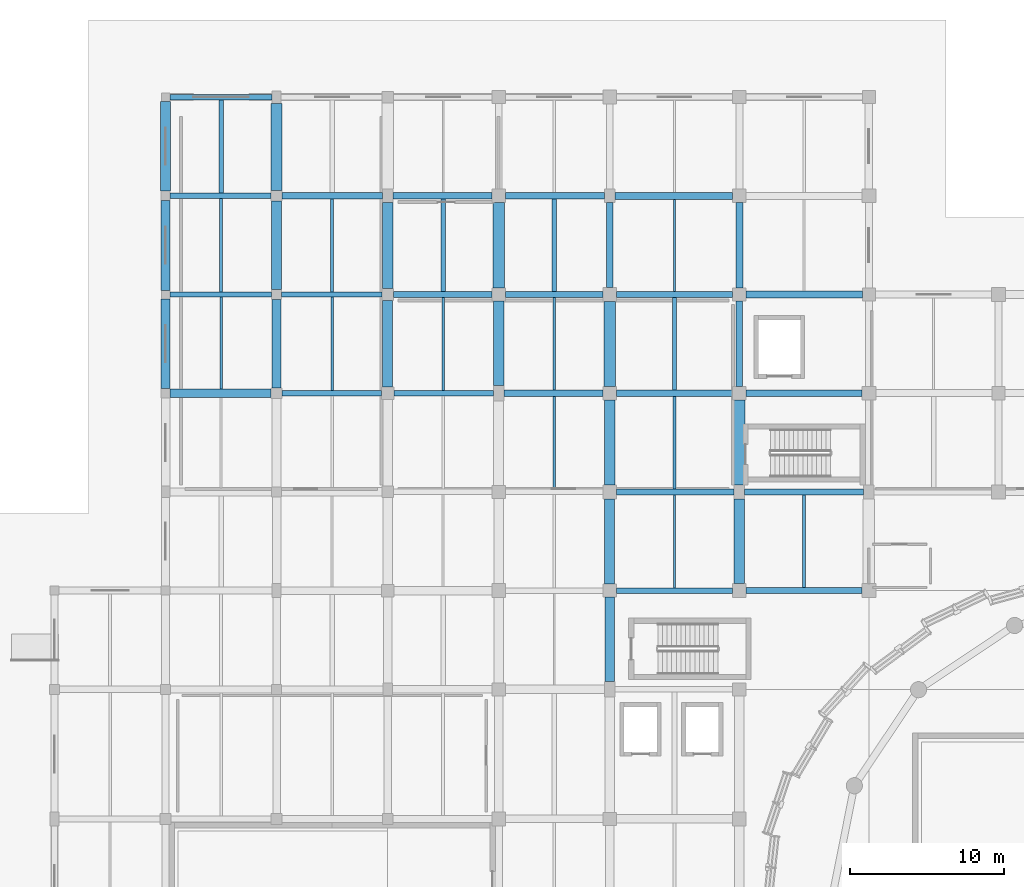
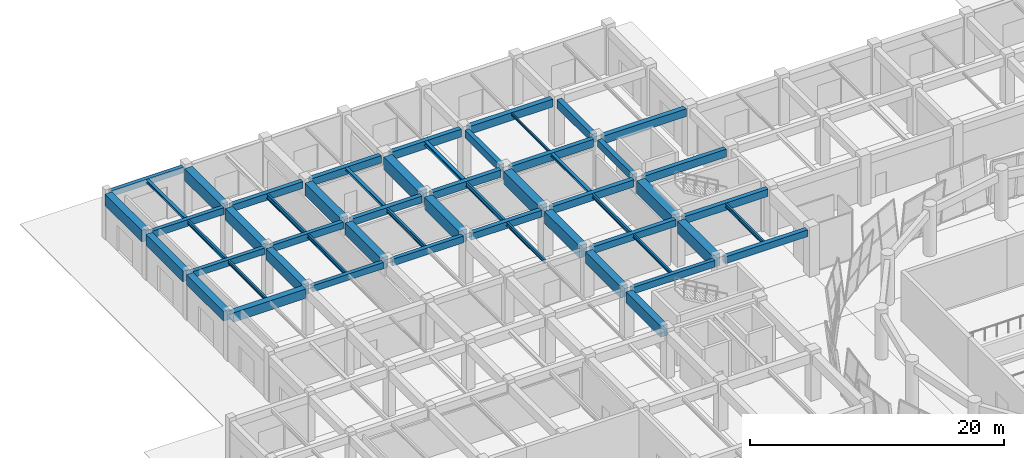
# One storey, part 30 of 72: 56 beams.
"""IFC4 building model written with IfcOpenShell, lengths in metres."""

from ifc_helpers import new_model, si_unit, direction, frame, origin, origin_2d, place, context, subcontext, project, spatial, rectangle, i_section, extrude, material, material_profile, profile_set, type_object, element, save


model = new_model("IFC4")

# Units and contexts
model_context = context("Model", 3, precision=1e-05, world=origin(), true_north=direction((0.0, 1.0)))
body_context = subcontext(model_context, "Body", "Model", "MODEL_VIEW")
ifc_project = project(units=[si_unit("LENGTHUNIT", "METRE"), si_unit("AREAUNIT", "SQUARE_METRE"), si_unit("VOLUMEUNIT", "CUBIC_METRE"), si_unit("PLANEANGLEUNIT", "RADIAN"), si_unit("MASSUNIT", "GRAM", prefix="KILO")], contexts=[model_context])

# Site, building, storey
site_placement = place(None, origin())
site = spatial("IfcSite", under=ifc_project, at=site_placement, CompositionType="ELEMENT")
building_placement = place(site_placement, origin())
building = spatial("IfcBuilding", under=site, at=building_placement, Name="Korsvaeld Concert Hall", CompositionType="ELEMENT")
storey_placement = place(building_placement, origin())
storey = spatial("IfcBuildingStorey", under=building, at=storey_placement, Name="L00", CompositionType="ELEMENT", Elevation=0.0)

# Beams
ifc_material_1 = material(Name="Concrete C35/45", Category="concrete")
ifc_material_profile_1 = material_profile(ifc_material_1, rectangle(XDim=0.35009765625, YDim=0.60009765625, at=origin_2d()), Name="RC 350x600")
ifc_profile_set_1 = profile_set([ifc_material_profile_1], Name="Concrete C35/45")
beam_type_1 = type_object("IfcBeamType", Name="BM-RC-350x600", PredefinedType="T_BEAM", material=ifc_profile_set_1)
beam_1_placement = place(storey_placement, frame((29.14990234375, 96.0, 4.139892578125), z_axis=(1.0, 0.0, 0.0), x_axis=(0.0, 1.0, 0.0)))
element("IfcBeam", 1, at=beam_1_placement, inside=storey, type_object=beam_type_1, Name="Primary girder 5-6/P L00", PredefinedType="T_BEAM", context=body_context, shape_type="SweptSolid", body=[
    extrude(rectangle(XDim=0.35009765625, YDim=0.60009765625, at=origin_2d()), origin(), (0.0, 0.0, 1.0), 6.4501953125),
])
beam_2_placement = place(storey_placement, frame((21.875, 102.39990234375, 4.139892578125), z_axis=(1.0, 0.0, 0.0), x_axis=(0.0, 1.0, 0.0)))
element("IfcBeam", 2, at=beam_2_placement, inside=storey, type_object=beam_type_1, Name="Primary girder 4-5/Q L00", PredefinedType="T_BEAM", context=body_context, shape_type="SweptSolid", body=[
    extrude(rectangle(XDim=0.35009765625, YDim=0.60009765625, at=origin_2d()), origin(), (0.0, 0.0, 1.0), 6.60009765625),
])
ifc_material_profile_2 = material_profile(ifc_material_1, rectangle(XDim=0.35009765625, YDim=0.64990234375, at=origin_2d()), Name="RC 350x650")
ifc_profile_set_2 = profile_set([ifc_material_profile_2], Name="Concrete C35/45")
beam_type_2 = type_object("IfcBeamType", Name="BM-RC-350x650", PredefinedType="T_BEAM", material=ifc_profile_set_2)
beam_3_placement = place(storey_placement, frame((50.824951171875, 83.199951171875, 4.114990234375), z_axis=(1.0, 0.0, 0.0), x_axis=(0.0, 1.0, 0.0)))
element("IfcBeam", 3, at=beam_3_placement, inside=storey, type_object=beam_type_2, Name="Primary girder 8-9/M L00", PredefinedType="T_BEAM", context=body_context, shape_type="SweptSolid", body=[
    extrude(rectangle(XDim=0.35009765625, YDim=0.64990234375, at=origin_2d()), origin(), (0.0, 0.0, 1.0), 7.525146484375),
])
beam_4_placement = place(storey_placement, frame((36.39990234375, 96.0, 4.114990234375), z_axis=(1.0, 0.0, 0.0), x_axis=(0.0, 1.0, 0.0)))
element("IfcBeam", 4, at=beam_4_placement, inside=storey, type_object=beam_type_2, Name="Primary girder 6-7/P L00", PredefinedType="T_BEAM", context=body_context, shape_type="SweptSolid", body=[
    extrude(rectangle(XDim=0.35009765625, YDim=0.64990234375, at=origin_2d()), origin(), (0.0, 0.0, 1.0), 6.4501953125),
])
beam_5_placement = place(storey_placement, frame((29.125, 102.39990234375, 4.114990234375), z_axis=(1.0, 0.0, 0.0), x_axis=(0.0, 1.0, 0.0)))
element("IfcBeam", 5, at=beam_5_placement, inside=storey, type_object=beam_type_2, Name="Primary girder 5-6/Q L00", PredefinedType="T_BEAM", context=body_context, shape_type="SweptSolid", body=[
    extrude(rectangle(XDim=0.35009765625, YDim=0.64990234375, at=origin_2d()), origin(), (0.0, 0.0, 1.0), 6.5),
])
beam_6_placement = place(storey_placement, frame((21.89990234375, 108.800048828125, 4.114990234375), z_axis=(1.0, 0.0, 0.0), x_axis=(0.0, 1.0, 0.0)))
element("IfcBeam", 6, at=beam_6_placement, inside=storey, type_object=beam_type_2, Name="Primary girder 4-5/R L00", PredefinedType="T_BEAM", context=body_context, shape_type="SweptSolid", body=[
    extrude(rectangle(XDim=0.35009765625, YDim=0.64990234375, at=origin_2d()), origin(), (0.0, 0.0, 1.0), 6.550048828125),
])
ifc_material_profile_3 = material_profile(ifc_material_1, rectangle(XDim=0.39990234375, YDim=0.64990234375, at=origin_2d()), Name="RC 400x650")
ifc_profile_set_3 = profile_set([ifc_material_profile_3], Name="Concrete C35/45")
beam_type_3 = type_object("IfcBeamType", Name="BM-RC-400x650", PredefinedType="T_BEAM", material=ifc_profile_set_3)
beam_7_placement = place(storey_placement, frame((59.25, 83.199951171875, 4.114990234375), z_axis=(1.0, 0.0, 0.0), x_axis=(0.0, 1.0, 0.0)))
element("IfcBeam", 7, at=beam_7_placement, inside=storey, type_object=beam_type_3, Name="Primary girder 9-10/M L00", PredefinedType="T_BEAM", context=body_context, shape_type="SweptSolid", body=[
    extrude(rectangle(XDim=0.39990234375, YDim=0.64990234375, at=origin_2d()), origin(), (0.0, 0.0, 1.0), 7.5),
])
beam_8_placement = place(storey_placement, frame((50.85009765625, 89.60009765625, 4.114990234375), z_axis=(1.0, 0.0, 0.0), x_axis=(0.0, 1.0, 0.0)))
element("IfcBeam", 8, at=beam_8_placement, inside=storey, type_object=beam_type_3, Name="Primary girder 8-9/N L00", PredefinedType="T_BEAM", context=body_context, shape_type="SweptSolid", body=[
    extrude(rectangle(XDim=0.39990234375, YDim=0.64990234375, at=origin_2d()), origin(), (0.0, 0.0, 1.0), 7.599853515625),
])
beam_9_placement = place(storey_placement, frame((43.550048828125, 96.0, 4.114990234375), z_axis=(1.0, 0.0, 0.0), x_axis=(0.0, 1.0, 0.0)))
element("IfcBeam", 9, at=beam_9_placement, inside=storey, type_object=beam_type_3, Name="Primary girder 7-8/P L00", PredefinedType="T_BEAM", context=body_context, shape_type="SweptSolid", body=[
    extrude(rectangle(XDim=0.39990234375, YDim=0.64990234375, at=origin_2d()), origin(), (0.0, 0.0, 1.0), 6.425048828125),
])
beam_10_placement = place(storey_placement, frame((36.375, 102.39990234375, 4.114990234375), z_axis=(1.0, 0.0, 0.0), x_axis=(0.0, 1.0, 0.0)))
element("IfcBeam", 10, at=beam_10_placement, inside=storey, type_object=beam_type_3, Name="Primary girder 6-7/Q L00", PredefinedType="T_BEAM", context=body_context, shape_type="SweptSolid", body=[
    extrude(rectangle(XDim=0.39990234375, YDim=0.64990234375, at=origin_2d()), origin(), (0.0, 0.0, 1.0), 6.39990234375),
])
beam_11_placement = place(storey_placement, frame((29.14990234375, 108.800048828125, 4.114990234375), z_axis=(1.0, 0.0, 0.0), x_axis=(0.0, 1.0, 0.0)))
element("IfcBeam", 11, at=beam_11_placement, inside=storey, type_object=beam_type_3, Name="Primary girder 5-6/R L00", PredefinedType="T_BEAM", context=body_context, shape_type="SweptSolid", body=[
    extrude(rectangle(XDim=0.39990234375, YDim=0.64990234375, at=origin_2d()), origin(), (0.0, 0.0, 1.0), 6.5),
])
ifc_material_profile_4 = material_profile(ifc_material_1, rectangle(XDim=0.39990234375, YDim=0.699951171875, at=origin_2d()), Name="RC 400x700")
ifc_profile_set_4 = profile_set([ifc_material_profile_4], Name="Concrete C35/45")
beam_type_4 = type_object("IfcBeamType", Name="BM-RC-400x700", PredefinedType="T_BEAM", material=ifc_profile_set_4)
beam_12_placement = place(storey_placement, frame((59.14990234375, 89.60009765625, 4.090087890625), z_axis=(1.0, 0.0, 0.0), x_axis=(0.0, 1.0, 0.0)))
element("IfcBeam", 12, at=beam_12_placement, inside=storey, type_object=beam_type_4, Name="Primary girder 9-10/N L00", PredefinedType="T_BEAM", context=body_context, shape_type="SweptSolid", body=[
    extrude(rectangle(XDim=0.39990234375, YDim=0.699951171875, at=origin_2d()), origin(), (0.0, 0.0, 1.0), 7.7001953125),
])
beam_13_placement = place(storey_placement, frame((50.824951171875, 96.0, 4.090087890625), z_axis=(1.0, 0.0, 0.0), x_axis=(0.0, 1.0, 0.0)))
element("IfcBeam", 13, at=beam_13_placement, inside=storey, type_object=beam_type_4, Name="Primary girder 8-9/P L00", PredefinedType="T_BEAM", context=body_context, shape_type="SweptSolid", body=[
    extrude(rectangle(XDim=0.39990234375, YDim=0.699951171875, at=origin_2d()), origin(), (0.0, 0.0, 1.0), 7.525146484375),
])
beam_14_placement = place(storey_placement, frame((43.625, 102.39990234375, 4.090087890625), z_axis=(1.0, 0.0, 0.0), x_axis=(0.0, 1.0, 0.0)))
element("IfcBeam", 14, at=beam_14_placement, inside=storey, type_object=beam_type_4, Name="Primary girder 7-8/Q L00", PredefinedType="T_BEAM", context=body_context, shape_type="SweptSolid", body=[
    extrude(rectangle(XDim=0.39990234375, YDim=0.699951171875, at=origin_2d()), origin(), (0.0, 0.0, 1.0), 6.324951171875),
])
beam_15_placement = place(storey_placement, frame((36.35009765625, 108.800048828125, 4.090087890625), z_axis=(1.0, 0.0, 0.0), x_axis=(0.0, 1.0, 0.0)))
element("IfcBeam", 15, at=beam_15_placement, inside=storey, type_object=beam_type_4, Name="Primary girder 6-7/R L00", PredefinedType="T_BEAM", context=body_context, shape_type="SweptSolid", body=[
    extrude(rectangle(XDim=0.39990234375, YDim=0.699951171875, at=origin_2d()), origin(), (0.0, 0.0, 1.0), 6.39990234375),
])
beam_16_placement = place(storey_placement, frame((50.39990234375, 102.85009765625, 4.090087890625), z_axis=(0.0, 1.0, 0.0), x_axis=(-1.0, 0.0, 0.0)))
element("IfcBeam", 16, at=beam_16_placement, inside=storey, type_object=beam_type_4, Name="Primary girder 8/Q-R L00", PredefinedType="T_BEAM", context=body_context, shape_type="SweptSolid", body=[
    extrude(rectangle(XDim=0.39990234375, YDim=0.699951171875, at=origin_2d()), origin(), (0.0, 0.0, 1.0), 5.5),
])
beam_17_placement = place(storey_placement, frame((58.800048828125, 96.449951171875, 4.090087890625), z_axis=(0.0, 1.0, 0.0), x_axis=(-1.0, 0.0, 0.0)))
element("IfcBeam", 17, at=beam_17_placement, inside=storey, type_object=beam_type_4, Name="Primary girder 9/P-Q L00", PredefinedType="T_BEAM", context=body_context, shape_type="SweptSolid", body=[
    extrude(rectangle(XDim=0.39990234375, YDim=0.699951171875, at=origin_2d()), origin(), (0.0, 0.0, 1.0), 5.525146484375),
])
ifc_material_profile_5 = material_profile(ifc_material_1, rectangle(XDim=0.39990234375, YDim=0.75, at=origin_2d()), Name="RC 400x750")
ifc_profile_set_5 = profile_set([ifc_material_profile_5], Name="Concrete C35/45")
beam_type_5 = type_object("IfcBeamType", Name="BM-RC-400x750", PredefinedType="T_BEAM", material=ifc_profile_set_5)
beam_18_placement = place(storey_placement, frame((59.25, 96.0, 4.06494140625), z_axis=(1.0, 0.0, 0.0), x_axis=(0.0, 1.0, 0.0)))
element("IfcBeam", 18, at=beam_18_placement, inside=storey, type_object=beam_type_5, Name="Primary girder 9-10/P L00", PredefinedType="T_BEAM", context=body_context, shape_type="SweptSolid", body=[
    extrude(rectangle(XDim=0.39990234375, YDim=0.75, at=origin_2d()), origin(), (0.0, 0.0, 1.0), 7.5),
])
beam_19_placement = place(storey_placement, frame((50.85009765625, 102.39990234375, 4.06494140625), z_axis=(1.0, 0.0, 0.0), x_axis=(0.0, 1.0, 0.0)))
element("IfcBeam", 19, at=beam_19_placement, inside=storey, type_object=beam_type_5, Name="Primary girder 8-9/Q L00", PredefinedType="T_BEAM", context=body_context, shape_type="SweptSolid", body=[
    extrude(rectangle(XDim=0.39990234375, YDim=0.75, at=origin_2d()), origin(), (0.0, 0.0, 1.0), 7.52490234375),
])
beam_20_placement = place(storey_placement, frame((43.64990234375, 108.800048828125, 4.06494140625), z_axis=(1.0, 0.0, 0.0), x_axis=(0.0, 1.0, 0.0)))
element("IfcBeam", 20, at=beam_20_placement, inside=storey, type_object=beam_type_5, Name="Primary girder 7-8/R L00", PredefinedType="T_BEAM", context=body_context, shape_type="SweptSolid", body=[
    extrude(rectangle(XDim=0.39990234375, YDim=0.75, at=origin_2d()), origin(), (0.0, 0.0, 1.0), 6.400146484375),
])
ifc_material_profile_6 = material_profile(ifc_material_1, rectangle(XDim=0.449951171875, YDim=0.75, at=origin_2d()), Name="RC 450x750")
ifc_profile_set_6 = profile_set([ifc_material_profile_6], Name="Concrete C35/45")
beam_type_6 = type_object("IfcBeamType", Name="BM-RC-450x750", PredefinedType="T_BEAM", material=ifc_profile_set_6)
beam_21_placement = place(storey_placement, frame((59.22509765625, 102.39990234375, 4.06494140625), z_axis=(1.0, 0.0, 0.0), x_axis=(0.0, 1.0, 0.0)))
element("IfcBeam", 21, at=beam_21_placement, inside=storey, type_object=beam_type_6, Name="Primary girder 9-10/Q L00", PredefinedType="T_BEAM", context=body_context, shape_type="SweptSolid", body=[
    extrude(rectangle(XDim=0.449951171875, YDim=0.75, at=origin_2d()), origin(), (0.0, 0.0, 1.0), 7.5498046875),
])
beam_22_placement = place(storey_placement, frame((50.75, 108.800048828125, 4.06494140625), z_axis=(1.0, 0.0, 0.0), x_axis=(0.0, 1.0, 0.0)))
element("IfcBeam", 22, at=beam_22_placement, inside=storey, type_object=beam_type_6, Name="Primary girder 8-9/R L00", PredefinedType="T_BEAM", context=body_context, shape_type="SweptSolid", body=[
    extrude(rectangle(XDim=0.449951171875, YDim=0.75, at=origin_2d()), origin(), (0.0, 0.0, 1.0), 7.60009765625),
])
ifc_material_profile_7 = material_profile(ifc_material_1, rectangle(XDim=0.449951171875, YDim=0.800048828125, at=origin_2d()), Name="RC 450x800")
ifc_profile_set_7 = profile_set([ifc_material_profile_7], Name="Concrete C35/45")
beam_type_7 = type_object("IfcBeamType", Name="BM-RC-450x800", PredefinedType="T_BEAM", material=ifc_profile_set_7)
beam_23_placement = place(storey_placement, frame((58.800048828125, 102.824951171875, 4.0400390625), z_axis=(0.0, 1.0, 0.0), x_axis=(-1.0, 0.0, 0.0)))
element("IfcBeam", 23, at=beam_23_placement, inside=storey, type_object=beam_type_7, Name="Primary girder 9/Q-R L00", PredefinedType="T_BEAM", context=body_context, shape_type="SweptSolid", body=[
    extrude(rectangle(XDim=0.449951171875, YDim=0.800048828125, at=origin_2d()), origin(), (0.0, 0.0, 1.0), 5.525146484375),
])
ifc_material_2 = material(Name="Concrete C40/50", Category="concrete")
ifc_material_profile_8 = material_profile(ifc_material_2, rectangle(XDim=0.550048828125, YDim=0.89990234375, at=origin_2d()), Name="RC 550x900")
ifc_profile_set_8 = profile_set([ifc_material_profile_8], Name="Concrete C40/50")
beam_type_8 = type_object("IfcBeamType", Name="BM-RC-550x900", PredefinedType="T_BEAM", material=ifc_profile_set_8)
beam_24_placement = place(storey_placement, frame((21.89990234375, 96.0, 3.989990234375), z_axis=(1.0, 0.0, 0.0), x_axis=(0.0, 1.0, 0.0)))
element("IfcBeam", 24, at=beam_24_placement, inside=storey, type_object=beam_type_8, Name="Primary girder 4-5/P L00", PredefinedType="T_BEAM", context=body_context, shape_type="SweptSolid", body=[
    extrude(rectangle(XDim=0.550048828125, YDim=0.89990234375, at=origin_2d()), origin(), (0.0, 0.0, 1.0), 6.550048828125),
])
ifc_material_profile_9 = material_profile(ifc_material_2, rectangle(XDim=0.60009765625, YDim=1.050048828125, at=origin_2d()), Name="RC 600x1050")
ifc_profile_set_9 = profile_set([ifc_material_profile_9], Name="Concrete C40/50")
beam_type_9 = type_object("IfcBeamType", Name="BM-RC-600x1050", PredefinedType="T_BEAM", material=ifc_profile_set_9)
beam_25_placement = place(storey_placement, frame((21.60009765625, 102.675048828125, 3.9150390625), z_axis=(0.0, 1.0, 0.0), x_axis=(-1.0, 0.0, 0.0)))
element("IfcBeam", 25, at=beam_25_placement, inside=storey, type_object=beam_type_9, Name="Primary girder 4/Q-R L00", PredefinedType="T_BEAM", context=body_context, shape_type="SweptSolid", body=[
    extrude(rectangle(XDim=0.60009765625, YDim=1.050048828125, at=origin_2d()), origin(), (0.0, 0.0, 1.0), 5.824951171875),
])
beam_26_placement = place(storey_placement, frame((28.800048828125, 96.35009765625, 3.9150390625), z_axis=(0.0, 1.0, 0.0), x_axis=(-1.0, 0.0, 0.0)))
element("IfcBeam", 26, at=beam_26_placement, inside=storey, type_object=beam_type_9, Name="Primary girder 5/P-Q L00", PredefinedType="T_BEAM", context=body_context, shape_type="SweptSolid", body=[
    extrude(rectangle(XDim=0.60009765625, YDim=1.050048828125, at=origin_2d()), origin(), (0.0, 0.0, 1.0), 5.724853515625),
])
beam_27_placement = place(storey_placement, frame((50.39990234375, 77.300048828125, 3.9150390625), z_axis=(0.0, 1.0, 0.0), x_axis=(-1.0, 0.0, 0.0)))
element("IfcBeam", 27, at=beam_27_placement, inside=storey, type_object=beam_type_9, Name="Primary girder 8/L-M L00", PredefinedType="T_BEAM", context=body_context, shape_type="SweptSolid", body=[
    extrude(rectangle(XDim=0.60009765625, YDim=1.050048828125, at=origin_2d()), origin(), (0.0, 0.0, 1.0), 5.474853515625),
])
ifc_material_profile_10 = material_profile(ifc_material_2, rectangle(XDim=0.60009765625, YDim=0.949951171875, at=origin_2d()), Name="RC 600x950")
ifc_profile_set_10 = profile_set([ifc_material_profile_10], Name="Concrete C40/50")
beam_type_10 = type_object("IfcBeamType", Name="BM-RC-600x950", PredefinedType="T_BEAM", material=ifc_profile_set_10)
beam_28_placement = place(storey_placement, frame((21.60009765625, 96.300048828125, 3.965087890625), z_axis=(0.0, 1.0, 0.0), x_axis=(-1.0, 0.0, 0.0)))
element("IfcBeam", 28, at=beam_28_placement, inside=storey, type_object=beam_type_10, Name="Primary girder 4/P-Q L00", PredefinedType="T_BEAM", context=body_context, shape_type="SweptSolid", body=[
    extrude(rectangle(XDim=0.60009765625, YDim=0.949951171875, at=origin_2d()), origin(), (0.0, 0.0, 1.0), 5.824951171875),
])
ifc_material_profile_11 = material_profile(ifc_material_2, rectangle(XDim=0.64990234375, YDim=1.10009765625, at=origin_2d()), Name="RC 650x1100")
ifc_profile_set_11 = profile_set([ifc_material_profile_11], Name="Concrete C40/50")
beam_type_11 = type_object("IfcBeamType", Name="BM-RC-650x1100", PredefinedType="T_BEAM", material=ifc_profile_set_11)
beam_29_placement = place(storey_placement, frame((21.60009765625, 109.10009765625, 3.889892578125), z_axis=(0.0, 1.0, 0.0), x_axis=(-1.0, 0.0, 0.0)))
element("IfcBeam", 29, at=beam_29_placement, inside=storey, type_object=beam_type_11, Name="Primary girder 4/R-S L00", PredefinedType="T_BEAM", context=body_context, shape_type="SweptSolid", body=[
    extrude(rectangle(XDim=0.64990234375, YDim=1.10009765625, at=origin_2d()), origin(), (0.0, 0.0, 1.0), 5.824951171875),
])
beam_30_placement = place(storey_placement, frame((28.800048828125, 102.72509765625, 3.889892578125), z_axis=(0.0, 1.0, 0.0), x_axis=(-1.0, 0.0, 0.0)))
element("IfcBeam", 30, at=beam_30_placement, inside=storey, type_object=beam_type_11, Name="Primary girder 5/Q-R L00", PredefinedType="T_BEAM", context=body_context, shape_type="SweptSolid", body=[
    extrude(rectangle(XDim=0.64990234375, YDim=1.10009765625, at=origin_2d()), origin(), (0.0, 0.0, 1.0), 5.724853515625),
])
beam_31_placement = place(storey_placement, frame((36.0, 96.39990234375, 3.889892578125), z_axis=(0.0, 1.0, 0.0), x_axis=(-1.0, 0.0, 0.0)))
element("IfcBeam", 31, at=beam_31_placement, inside=storey, type_object=beam_type_11, Name="Primary girder 6/P-Q L00", PredefinedType="T_BEAM", context=body_context, shape_type="SweptSolid", body=[
    extrude(rectangle(XDim=0.64990234375, YDim=1.10009765625, at=origin_2d()), origin(), (0.0, 0.0, 1.0), 5.625),
])
beam_32_placement = place(storey_placement, frame((50.39990234375, 83.625, 3.889892578125), z_axis=(0.0, 1.0, 0.0), x_axis=(-1.0, 0.0, 0.0)))
element("IfcBeam", 32, at=beam_32_placement, inside=storey, type_object=beam_type_11, Name="Primary girder 8/M-N L00", PredefinedType="T_BEAM", context=body_context, shape_type="SweptSolid", body=[
    extrude(rectangle(XDim=0.64990234375, YDim=1.10009765625, at=origin_2d()), origin(), (0.0, 0.0, 1.0), 5.52490234375),
])
ifc_material_profile_12 = material_profile(ifc_material_2, rectangle(XDim=0.699951171875, YDim=1.14990234375, at=origin_2d()), Name="RC 700x1150")
ifc_profile_set_12 = profile_set([ifc_material_profile_12], Name="Concrete C40/50")
beam_type_12 = type_object("IfcBeamType", Name="BM-RC-700x1150", PredefinedType="T_BEAM", material=ifc_profile_set_12)
beam_33_placement = place(storey_placement, frame((28.800048828125, 109.14990234375, 3.864990234375), z_axis=(0.0, 1.0, 0.0), x_axis=(-1.0, 0.0, 0.0)))
element("IfcBeam", 33, at=beam_33_placement, inside=storey, type_object=beam_type_12, Name="Primary girder 5/R-S L00", PredefinedType="T_BEAM", context=body_context, shape_type="SweptSolid", body=[
    extrude(rectangle(XDim=0.699951171875, YDim=1.14990234375, at=origin_2d()), origin(), (0.0, 0.0, 1.0), 5.650146484375),
])
beam_34_placement = place(storey_placement, frame((36.0, 102.77490234375, 3.864990234375), z_axis=(0.0, 1.0, 0.0), x_axis=(-1.0, 0.0, 0.0)))
element("IfcBeam", 34, at=beam_34_placement, inside=storey, type_object=beam_type_12, Name="Primary girder 6/Q-R L00", PredefinedType="T_BEAM", context=body_context, shape_type="SweptSolid", body=[
    extrude(rectangle(XDim=0.699951171875, YDim=1.14990234375, at=origin_2d()), origin(), (0.0, 0.0, 1.0), 5.5751953125),
])
beam_35_placement = place(storey_placement, frame((43.199951171875, 96.5, 3.864990234375), z_axis=(0.0, 1.0, 0.0), x_axis=(-1.0, 0.0, 0.0)))
element("IfcBeam", 35, at=beam_35_placement, inside=storey, type_object=beam_type_12, Name="Primary girder 7/P-Q L00", PredefinedType="T_BEAM", context=body_context, shape_type="SweptSolid", body=[
    extrude(rectangle(XDim=0.699951171875, YDim=1.14990234375, at=origin_2d()), origin(), (0.0, 0.0, 1.0), 5.47509765625),
])
beam_36_placement = place(storey_placement, frame((50.39990234375, 90.050048828125, 3.864990234375), z_axis=(0.0, 1.0, 0.0), x_axis=(-1.0, 0.0, 0.0)))
element("IfcBeam", 36, at=beam_36_placement, inside=storey, type_object=beam_type_12, Name="Primary girder 8/N-P L00", PredefinedType="T_BEAM", context=body_context, shape_type="SweptSolid", body=[
    extrude(rectangle(XDim=0.699951171875, YDim=1.14990234375, at=origin_2d()), origin(), (0.0, 0.0, 1.0), 5.52490234375),
])
beam_37_placement = place(storey_placement, frame((58.800048828125, 83.64990234375, 3.864990234375), z_axis=(0.0, 1.0, 0.0), x_axis=(-1.0, 0.0, 0.0)))
element("IfcBeam", 37, at=beam_37_placement, inside=storey, type_object=beam_type_12, Name="Primary girder 9/M-N L00", PredefinedType="T_BEAM", context=body_context, shape_type="SweptSolid", body=[
    extrude(rectangle(XDim=0.699951171875, YDim=1.14990234375, at=origin_2d()), origin(), (0.0, 0.0, 1.0), 5.5),
])
ifc_material_profile_13 = material_profile(ifc_material_2, rectangle(XDim=0.75, YDim=1.199951171875, at=origin_2d()), Name="RC 750x1200")
ifc_profile_set_13 = profile_set([ifc_material_profile_13], Name="Concrete C40/50")
beam_type_13 = type_object("IfcBeamType", Name="BM-RC-750x1200", PredefinedType="T_BEAM", material=ifc_profile_set_13)
beam_38_placement = place(storey_placement, frame((43.199951171875, 102.824951171875, 3.840087890625), z_axis=(0.0, 1.0, 0.0), x_axis=(-1.0, 0.0, 0.0)))
element("IfcBeam", 38, at=beam_38_placement, inside=storey, type_object=beam_type_13, Name="Primary girder 7/Q-R L00", PredefinedType="T_BEAM", context=body_context, shape_type="SweptSolid", body=[
    extrude(rectangle(XDim=0.75, YDim=1.199951171875, at=origin_2d()), origin(), (0.0, 0.0, 1.0), 5.525146484375),
])
beam_39_placement = place(storey_placement, frame((50.39990234375, 96.425048828125, 3.840087890625), z_axis=(0.0, 1.0, 0.0), x_axis=(-1.0, 0.0, 0.0)))
element("IfcBeam", 39, at=beam_39_placement, inside=storey, type_object=beam_type_13, Name="Primary girder 8/P-Q L00", PredefinedType="T_BEAM", context=body_context, shape_type="SweptSolid", body=[
    extrude(rectangle(XDim=0.75, YDim=1.199951171875, at=origin_2d()), origin(), (0.0, 0.0, 1.0), 5.52490234375),
])
beam_40_placement = place(storey_placement, frame((58.800048828125, 90.050048828125, 3.840087890625), z_axis=(0.0, 1.0, 0.0), x_axis=(-1.0, 0.0, 0.0)))
element("IfcBeam", 40, at=beam_40_placement, inside=storey, type_object=beam_type_13, Name="Primary girder 9/N-P L00", PredefinedType="T_BEAM", context=body_context, shape_type="SweptSolid", body=[
    extrude(rectangle(XDim=0.75, YDim=1.199951171875, at=origin_2d()), origin(), (0.0, 0.0, 1.0), 5.5),
])
ifc_material_profile_14 = material_profile(ifc_material_1, rectangle(XDim=0.35009765625, YDim=0.550048828125, at=origin_2d()), Name="RC 350x550")
ifc_profile_set_14 = profile_set([ifc_material_profile_14], Name="Concrete C35/45")
beam_type_14 = type_object("IfcBeamType", Name="BM-SP-350x550", PredefinedType="SPANDREL", material=ifc_profile_set_14)
beam_41_placement = place(storey_placement, frame((21.875, 115.199951171875, 4.1650390625), z_axis=(1.0, 0.0, 0.0), x_axis=(0.0, 1.0, 0.0)))
element("IfcBeam", 41, at=beam_41_placement, inside=storey, type_object=beam_type_14, Name="Primary girder 4-5/S L00", PredefinedType="SPANDREL", context=body_context, shape_type="SweptSolid", body=[
    extrude(rectangle(XDim=0.35009765625, YDim=0.550048828125, at=origin_2d()), origin(), (0.0, 0.0, 1.0), 6.625),
])
ifc_material_3 = material(Name="Steel S355J2", Category="steel")
ifc_material_profile_15 = material_profile(ifc_material_3, i_section(OverallWidth=0.280029296875, OverallDepth=0.27001953125, WebThickness=0.008056640625, FlangeThickness=0.012939453125, FilletRadius=0.02392578125, at=origin_2d()), Name="HEA 280")
ifc_profile_set_15 = profile_set([ifc_material_profile_15], Name="Steel S355J2")
beam_type_15 = type_object("IfcBeamType", Name="BM-STL-HEA280", PredefinedType="BEAM", material=ifc_profile_set_15)
beam_42_placement = place(storey_placement, frame((25.199951171875, 108.97509765625, 4.304931640625), z_axis=(0.0, 1.0, 0.0), x_axis=(-1.0, 0.0, 0.0)))
element("IfcBeam", 42, at=beam_42_placement, inside=storey, type_object=beam_type_15, Name="Secondary steel floor beam 4-5/R L00", PredefinedType="BEAM", context=body_context, shape_type="SweptSolid", body=[
    extrude(i_section(OverallWidth=0.280029296875, OverallDepth=0.27001953125, WebThickness=0.008056640625, FlangeThickness=0.012939453125, FilletRadius=0.02392578125, at=origin_2d()), origin(), (0.0, 0.0, 1.0), 6.0498046875),
])
for number, where, z_axis, x_axis, name in (
    (43, (39.60009765625, 102.60009765625, 4.304931640625), (0.0, 1.0, 0.0), (-1.0, 0.0, 0.0), "Secondary steel floor beam 6-7/Q L00"),
    (44, (54.60009765625, 96.199951171875, 4.304931640625), (0.0, 1.0, 0.0), (-1.0, 0.0, 0.0), "Secondary steel floor beam 8-9/P L00"),
):
    element("IfcBeam", number, at=place(storey_placement, frame(where, z_axis=z_axis, x_axis=x_axis)), inside=storey, type_object=beam_type_15, Name=name, PredefinedType="BEAM", context=body_context, shape_type="SweptSolid", body=[
        extrude(i_section(OverallWidth=0.280029296875, OverallDepth=0.27001953125, WebThickness=0.008056640625, FlangeThickness=0.012939453125, FilletRadius=0.02392578125, at=origin_2d()), origin(), (0.0, 0.0, 1.0), 6.0),
    ])
ifc_material_profile_16 = material_profile(ifc_material_3, i_section(OverallWidth=0.300048828125, OverallDepth=0.35009765625, WebThickness=0.010009765625, FlangeThickness=0.017578125, FilletRadius=0.027099609375, at=origin_2d()), Name="HEA 360")
ifc_profile_set_16 = profile_set([ifc_material_profile_16], Name="Steel S355J2")
beam_type_16 = type_object("IfcBeamType", Name="BM-STL-HEA360", PredefinedType="BEAM", material=ifc_profile_set_16)
beam_43_placement = place(storey_placement, frame((46.800048828125, 102.60009765625, 4.264892578125), z_axis=(0.0, 1.0, 0.0), x_axis=(-1.0, 0.0, 0.0)))
element("IfcBeam", 45, at=beam_43_placement, inside=storey, type_object=beam_type_16, Name="Secondary steel floor beam 7-8/Q L00", PredefinedType="BEAM", context=body_context, shape_type="SweptSolid", body=[
    extrude(i_section(OverallWidth=0.300048828125, OverallDepth=0.35009765625, WebThickness=0.010009765625, FlangeThickness=0.017578125, FilletRadius=0.027099609375, at=origin_2d()), origin(), (0.0, 0.0, 1.0), 6.0),
])
ifc_material_profile_17 = material_profile(ifc_material_3, i_section(OverallWidth=0.1201171875, OverallDepth=0.239990234375, WebThickness=0.006103515625, FlangeThickness=0.009765625, FilletRadius=0.014892578125, at=origin_2d()), Name="IPE 240")
ifc_profile_set_17 = profile_set([ifc_material_profile_17], Name="Steel S355J2")
beam_type_17 = type_object("IfcBeamType", Name="BM-STL-IPE240", PredefinedType="JOIST", material=ifc_profile_set_17)
beam_44_placement = place(storey_placement, frame((54.60009765625, 102.60009765625, 4.320068359375), z_axis=(0.0, 1.0, 0.0), x_axis=(-1.0, 0.0, 0.0)))
element("IfcBeam", 46, at=beam_44_placement, inside=storey, type_object=beam_type_17, Name="Secondary steel floor beam 8-9/Q L00", PredefinedType="JOIST", context=body_context, shape_type="SweptSolid", body=[
    extrude(i_section(OverallWidth=0.1201171875, OverallDepth=0.239990234375, WebThickness=0.006103515625, FlangeThickness=0.009765625, FilletRadius=0.014892578125, at=origin_2d()), origin(), (0.0, 0.0, 1.0), 5.974853515625),
])
ifc_material_profile_18 = material_profile(ifc_material_3, i_section(OverallWidth=0.159912109375, OverallDepth=0.330078125, WebThickness=0.007568359375, FlangeThickness=0.011474609375, FilletRadius=0.01806640625, at=origin_2d()), Name="IPE 330")
ifc_profile_set_18 = profile_set([ifc_material_profile_18], Name="Steel S355J2")
beam_type_18 = type_object("IfcBeamType", Name="BM-STL-IPE330", PredefinedType="BEAM", material=ifc_profile_set_18)
beam_45_placement = place(storey_placement, frame((25.199951171875, 96.27490234375, 4.27490234375), z_axis=(0.0, 1.0, 0.0), x_axis=(-1.0, 0.0, 0.0)))
element("IfcBeam", 47, at=beam_45_placement, inside=storey, type_object=beam_type_18, Name="Secondary steel floor beam 4-5/P L00", PredefinedType="BEAM", context=body_context, shape_type="SweptSolid", body=[
    extrude(i_section(OverallWidth=0.159912109375, OverallDepth=0.330078125, WebThickness=0.007568359375, FlangeThickness=0.011474609375, FilletRadius=0.01806640625, at=origin_2d()), origin(), (0.0, 0.0, 1.0), 5.9501953125),
])
beam_46_placement = place(storey_placement, frame((54.60009765625, 83.375, 4.27490234375), z_axis=(0.0, 1.0, 0.0), x_axis=(-1.0, 0.0, 0.0)))
element("IfcBeam", 48, at=beam_46_placement, inside=storey, type_object=beam_type_18, Name="Secondary steel floor beam 8-9/M L00", PredefinedType="BEAM", context=body_context, shape_type="SweptSolid", body=[
    extrude(i_section(OverallWidth=0.159912109375, OverallDepth=0.330078125, WebThickness=0.007568359375, FlangeThickness=0.011474609375, FilletRadius=0.01806640625, at=origin_2d()), origin(), (0.0, 0.0, 1.0), 6.02490234375),
])
ifc_material_profile_19 = material_profile(ifc_material_3, i_section(OverallWidth=0.169921875, OverallDepth=0.360107421875, WebThickness=0.008056640625, FlangeThickness=0.0126953125, FilletRadius=0.01806640625, at=origin_2d()), Name="IPE 360")
ifc_profile_set_19 = profile_set([ifc_material_profile_19], Name="Steel S355J2")
beam_type_19 = type_object("IfcBeamType", Name="BM-STL-IPE360", PredefinedType="BEAM", material=ifc_profile_set_19)
beam_47_placement = place(storey_placement, frame((32.39990234375, 96.175048828125, 4.260009765625), z_axis=(0.0, 1.0, 0.0), x_axis=(-1.0, 0.0, 0.0)))
element("IfcBeam", 49, at=beam_47_placement, inside=storey, type_object=beam_type_19, Name="Secondary steel floor beam 5-6/P L00", PredefinedType="BEAM", context=body_context, shape_type="SweptSolid", body=[
    extrude(i_section(OverallWidth=0.169921875, OverallDepth=0.360107421875, WebThickness=0.008056640625, FlangeThickness=0.0126953125, FilletRadius=0.01806640625, at=origin_2d()), origin(), (0.0, 0.0, 1.0), 6.050048828125),
])
beam_48_placement = place(storey_placement, frame((46.800048828125, 89.77490234375, 4.260009765625), z_axis=(0.0, 1.0, 0.0), x_axis=(-1.0, 0.0, 0.0)))
element("IfcBeam", 50, at=beam_48_placement, inside=storey, type_object=beam_type_19, Name="Secondary steel floor beam 7-8/N L00", PredefinedType="BEAM", context=body_context, shape_type="SweptSolid", body=[
    extrude(i_section(OverallWidth=0.169921875, OverallDepth=0.360107421875, WebThickness=0.008056640625, FlangeThickness=0.0126953125, FilletRadius=0.01806640625, at=origin_2d()), origin(), (0.0, 0.0, 1.0), 6.025146484375),
])
beam_49_placement = place(storey_placement, frame((63.0, 83.39990234375, 4.260009765625), z_axis=(0.0, 1.0, 0.0), x_axis=(-1.0, 0.0, 0.0)))
element("IfcBeam", 51, at=beam_49_placement, inside=storey, type_object=beam_type_19, Name="Secondary steel floor beam 9-10/M L00", PredefinedType="BEAM", context=body_context, shape_type="SweptSolid", body=[
    extrude(i_section(OverallWidth=0.169921875, OverallDepth=0.360107421875, WebThickness=0.008056640625, FlangeThickness=0.0126953125, FilletRadius=0.01806640625, at=origin_2d()), origin(), (0.0, 0.0, 1.0), 6.0),
])
ifc_material_profile_20 = material_profile(ifc_material_3, i_section(OverallWidth=0.179931640625, OverallDepth=0.39990234375, WebThickness=0.008544921875, FlangeThickness=0.013427734375, FilletRadius=0.02099609375, at=origin_2d()), Name="IPE 400")
ifc_profile_set_20 = profile_set([ifc_material_profile_20], Name="Steel S355J2")
beam_type_20 = type_object("IfcBeamType", Name="BM-STL-IPE400", PredefinedType="BEAM", material=ifc_profile_set_20)
beam_50_placement = place(storey_placement, frame((25.199951171875, 102.574951171875, 4.239990234375), z_axis=(0.0, 1.0, 0.0), x_axis=(-1.0, 0.0, 0.0)))
element("IfcBeam", 52, at=beam_50_placement, inside=storey, type_object=beam_type_20, Name="Secondary steel floor beam 4-5/Q L00", PredefinedType="BEAM", context=body_context, shape_type="SweptSolid", body=[
    extrude(i_section(OverallWidth=0.179931640625, OverallDepth=0.39990234375, WebThickness=0.008544921875, FlangeThickness=0.013427734375, FilletRadius=0.02099609375, at=origin_2d()), origin(), (0.0, 0.0, 1.0), 6.050048828125),
])
beam_51_placement = place(storey_placement, frame((39.60009765625, 96.175048828125, 4.239990234375), z_axis=(0.0, 1.0, 0.0), x_axis=(-1.0, 0.0, 0.0)))
element("IfcBeam", 53, at=beam_51_placement, inside=storey, type_object=beam_type_20, Name="Secondary steel floor beam 6-7/P L00", PredefinedType="BEAM", context=body_context, shape_type="SweptSolid", body=[
    extrude(i_section(OverallWidth=0.179931640625, OverallDepth=0.39990234375, WebThickness=0.008544921875, FlangeThickness=0.013427734375, FilletRadius=0.02099609375, at=origin_2d()), origin(), (0.0, 0.0, 1.0), 6.02490234375),
])
beam_52_placement = place(storey_placement, frame((54.60009765625, 89.800048828125, 4.239990234375), z_axis=(0.0, 1.0, 0.0), x_axis=(-1.0, 0.0, 0.0)))
element("IfcBeam", 54, at=beam_52_placement, inside=storey, type_object=beam_type_20, Name="Secondary steel floor beam 8-9/N L00", PredefinedType="BEAM", context=body_context, shape_type="SweptSolid", body=[
    extrude(i_section(OverallWidth=0.179931640625, OverallDepth=0.39990234375, WebThickness=0.008544921875, FlangeThickness=0.013427734375, FilletRadius=0.02099609375, at=origin_2d()), origin(), (0.0, 0.0, 1.0), 6.0),
])
ifc_material_profile_21 = material_profile(ifc_material_3, i_section(OverallWidth=0.18994140625, OverallDepth=0.449951171875, WebThickness=0.009521484375, FlangeThickness=0.0146484375, FilletRadius=0.02099609375, at=origin_2d()), Name="IPE 450")
ifc_profile_set_21 = profile_set([ifc_material_profile_21], Name="Steel S355J2")
beam_type_21 = type_object("IfcBeamType", Name="BM-STL-IPE450", PredefinedType="BEAM", material=ifc_profile_set_21)
beam_53_placement = place(storey_placement, frame((32.39990234375, 102.574951171875, 4.215087890625), z_axis=(0.0, 1.0, 0.0), x_axis=(-1.0, 0.0, 0.0)))
element("IfcBeam", 55, at=beam_53_placement, inside=storey, type_object=beam_type_21, Name="Secondary steel floor beam 5-6/Q L00", PredefinedType="BEAM", context=body_context, shape_type="SweptSolid", body=[
    extrude(i_section(OverallWidth=0.18994140625, OverallDepth=0.449951171875, WebThickness=0.009521484375, FlangeThickness=0.0146484375, FilletRadius=0.02099609375, at=origin_2d()), origin(), (0.0, 0.0, 1.0), 6.025146484375),
])
beam_54_placement = place(storey_placement, frame((46.800048828125, 96.199951171875, 4.215087890625), z_axis=(0.0, 1.0, 0.0), x_axis=(-1.0, 0.0, 0.0)))
element("IfcBeam", 56, at=beam_54_placement, inside=storey, type_object=beam_type_21, Name="Secondary steel floor beam 7-8/P L00", PredefinedType="BEAM", context=body_context, shape_type="SweptSolid", body=[
    extrude(i_section(OverallWidth=0.18994140625, OverallDepth=0.449951171875, WebThickness=0.009521484375, FlangeThickness=0.0146484375, FilletRadius=0.02099609375, at=origin_2d()), origin(), (0.0, 0.0, 1.0), 6.0),
])

save(model, "model.ifc")
